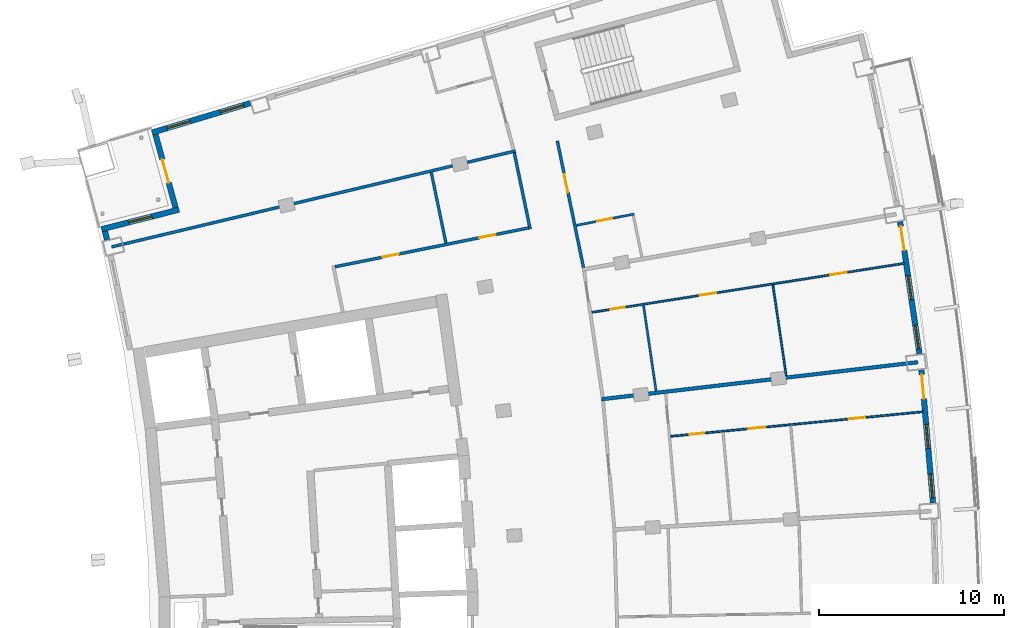
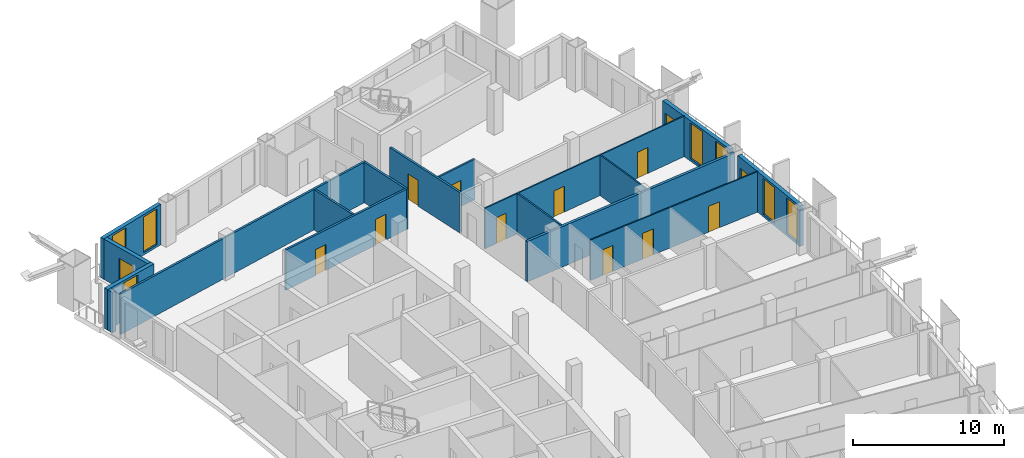
# One storey, part 14 of 21: 17 walls, 13 doors, 7 windows, 20 openings.
"""IFC4 building model written with IfcOpenShell, lengths in metres."""

from ifc_helpers import new_model, si_unit, direction, frame, frame_2d, origin, place, context, subcontext, project, spatial, rectangle, extrude, material, layer, layer_set, type_object, element, fill, save


model = new_model("IFC4")

# Units and contexts
model_context = context("Model", 3, precision=1e-05, world=origin(), true_north=direction((0.0, 1.0)))
body_context = subcontext(model_context, "Body", "Model", "MODEL_VIEW")
ifc_project = project(units=[si_unit("LENGTHUNIT", "METRE"), si_unit("AREAUNIT", "SQUARE_METRE"), si_unit("VOLUMEUNIT", "CUBIC_METRE"), si_unit("PLANEANGLEUNIT", "RADIAN"), si_unit("MASSUNIT", "GRAM", prefix="KILO")], contexts=[model_context])

# Site, building, storey
site_placement = place(None, origin())
site = spatial("IfcSite", under=ifc_project, at=site_placement, CompositionType="ELEMENT")
building_placement = place(site_placement, origin())
building = spatial("IfcBuilding", under=site, at=building_placement, Name="Alderwake Tower", CompositionType="ELEMENT")
storey_placement = place(building_placement, frame((0.0, 0.0, 207.199951171875)))
storey = spatial("IfcBuildingStorey", under=building, at=storey_placement, Name="L51", CompositionType="ELEMENT", Elevation=207.199951171875)

# Walls
ifc_material_1 = material(Name="Gypsum board on metal studs, rated")
ifc_layer_1 = layer(ifc_material_1, 0.159912109375)
ifc_layer_set_1 = layer_set([ifc_layer_1], Name="Corridor wall 160")
wall_type_1 = type_object("IfcWallType", Name="Corridor wall 160", PredefinedType="PARTITIONING", material=ifc_layer_set_1)
wall_1_placement = place(storey_placement, frame((13.884033203125, 83.31298828125, 0.0), z_axis=(0.0, 0.0, 1.0), x_axis=(0.972893462073, 0.231253781493, 0.0)))
element("IfcWall", 1, at=wall_1_placement, inside=storey, type_object=wall_type_1, Name="WL/L51/W09", PredefinedType="PARTITIONING", context=body_context, shape_type="SweptSolid", body=[
    extrude(rectangle(XDim=22.38037109375, YDim=0.159912109375, at=frame_2d((11.190185546875, 0.0))), origin(), (0.0, 0.0, 1.0), 3.280029296875),
])
wall_2_placement = place(storey_placement, frame((35.59619140625, 88.3916015625, 0.0), z_axis=(0.0, 0.0, 1.0), x_axis=(0.20329833965, -0.979116839348, 0.0)))
element("IfcWall", 2, at=wall_2_placement, inside=storey, type_object=wall_type_1, Name="WL/L51/W17", PredefinedType="PARTITIONING", context=body_context, shape_type="SweptSolid", body=[
    extrude(rectangle(XDim=4.206787109375, YDim=0.159912109375, at=frame_2d((2.103515625, 0.0))), origin(), (0.0, 0.0, 1.0), 3.280029296875),
])

# Wall, openings, doors
wall_3_placement = place(storey_placement, frame((25.926513671875, 82.24267578125, 0.0), z_axis=(0.0, 0.0, 1.0), x_axis=(0.98046310274, 0.196703086316, 0.0)))
wall_3 = element("IfcWall", 3, at=wall_3_placement, inside=storey, type_object=wall_type_1, Name="WL/L51/W19", PredefinedType="PARTITIONING", context=body_context, shape_type="SweptSolid", body=[
    extrude(rectangle(XDim=10.637939453125, YDim=0.159912109375, at=frame_2d((5.31884765625, 0.0))), origin(), (0.0, 0.0, 1.0), 3.280029296875),
])
opening_1_placement = place(wall_3_placement, frame((2.609130859375, 0.0, 0.0)))
opening_1 = element("IfcOpeningElement", 4, at=opening_1_placement, cuts=wall_3, Name="Opening R14-SBN1", PredefinedType="OPENING", context=body_context, shape_type="SweptSolid", body=[
    extrude(rectangle(XDim=0.89990234375, YDim=2.10009765625, at=frame_2d((0.449951171875, 1.050048828125))), frame((0.0, 0.08984375, 0.0), z_axis=(0.0, -1.0, 0.0), x_axis=(1.0, 0.0, 0.0)), (0.0, 0.0, 1.0), 0.179931640625),
])
opening_2_placement = place(wall_3_placement, frame((7.927978515625, 0.0, 0.0)))
opening_2 = element("IfcOpeningElement", 5, at=opening_2_placement, cuts=wall_3, Name="Opening R14-SBN2", PredefinedType="OPENING", context=body_context, shape_type="SweptSolid", body=[
    extrude(rectangle(XDim=0.89990234375, YDim=2.10009765625, at=frame_2d((0.449951171875, 1.050048828125))), frame((0.0, 0.08984375, 0.0), z_axis=(0.0, -1.0, 0.0), x_axis=(1.0, 0.0, 0.0)), (0.0, 0.0, 1.0), 0.179931640625),
])
ifc_material_2 = material(Name="Painted timber leaf", Category="wood")
door_type_1 = type_object("IfcDoorType", Name="Room door 900", OperationType="SINGLE_SWING_LEFT", PredefinedType="DOOR", material=ifc_material_2)
door_1_placement = place(opening_1_placement, origin())
door_1 = element("IfcDoor", 6, at=door_1_placement, inside=storey, type_object=door_type_1, Name="DR/L51/SBN1", OperationType="SINGLE_SWING_LEFT", OverallHeight=2.10009765625, OverallWidth=0.89990234375, PredefinedType="DOOR", context=body_context, shape_type="SweptSolid", body=[
    extrude(rectangle(XDim=0.89990234375, YDim=2.10009765625, at=frame_2d((0.449951171875, 1.050048828125))), frame((0.0, 0.02490234375, 0.0), z_axis=(0.0, -1.0, 0.0), x_axis=(1.0, 0.0, 0.0)), (0.0, 0.0, 1.0), 0.050048828125),
])
fill(opening_1, door_1)
door_2_placement = place(opening_2_placement, origin())
door_2 = element("IfcDoor", 7, at=door_2_placement, inside=storey, type_object=door_type_1, Name="DR/L51/SBN2", OperationType="SINGLE_SWING_LEFT", OverallHeight=2.10009765625, OverallWidth=0.89990234375, PredefinedType="DOOR", context=body_context, shape_type="SweptSolid", body=[
    extrude(rectangle(XDim=0.89990234375, YDim=2.10009765625, at=frame_2d((0.449951171875, 1.050048828125))), frame((0.0, 0.02490234375, 0.0), z_axis=(0.0, -1.0, 0.0), x_axis=(1.0, 0.0, 0.0)), (0.0, 0.0, 1.0), 0.050048828125),
])
fill(opening_2, door_2)

# Wall, opening, door
wall_4_placement = place(storey_placement, frame((37.9169921875, 89.02490234375, 0.0), z_axis=(0.0, 0.0, 1.0), x_axis=(0.202416809878, -0.97929946139, 0.0)))
wall_4 = element("IfcWall", 8, at=wall_4_placement, inside=storey, type_object=wall_type_1, Name="WL/L51/W22", PredefinedType="PARTITIONING", context=body_context, shape_type="SweptSolid", body=[
    extrude(rectangle(XDim=6.97021484375, YDim=0.159912109375, at=frame_2d((3.485107421875, 0.0))), origin(), (0.0, 0.0, 1.0), 3.280029296875),
])
opening_3_placement = place(wall_4_placement, frame((1.83349609375, 0.0, 0.0)))
opening_3 = element("IfcOpeningElement", 9, at=opening_3_placement, cuts=wall_4, Name="Opening R14-U08.1", PredefinedType="OPENING", context=body_context, shape_type="SweptSolid", body=[
    extrude(rectangle(XDim=1.0, YDim=2.10009765625, at=frame_2d((0.5, 1.050048828125))), frame((0.0, 0.08984375, 0.0), z_axis=(0.0, -1.0, 0.0), x_axis=(1.0, 0.0, 0.0)), (0.0, 0.0, 1.0), 0.179931640625),
])
ifc_material_3 = material(Name="Solid timber leaf in steel frame", Category="steel")
door_type_2 = type_object("IfcDoorType", Name="Flat entrance door 1000 fire-rated", OperationType="SINGLE_SWING_LEFT", PredefinedType="DOOR", material=ifc_material_3)
door_3_placement = place(opening_3_placement, origin())
door_3 = element("IfcDoor", 10, at=door_3_placement, inside=storey, type_object=door_type_2, Name="DR/L51/U08.1", OperationType="SINGLE_SWING_LEFT", OverallHeight=2.10009765625, OverallWidth=1.0, PredefinedType="DOOR", context=body_context, shape_type="SweptSolid", body=[
    extrude(rectangle(XDim=1.0, YDim=2.10009765625, at=frame_2d((0.5, 1.050048828125))), frame((0.0, 0.02490234375, 0.0), z_axis=(0.0, -1.0, 0.0), x_axis=(1.0, 0.0, 0.0)), (0.0, 0.0, 1.0), 0.050048828125),
])
fill(opening_3, door_3)

# Wall, openings, door, windows
ifc_material_4 = material(Name="Precast concrete C50/60 spandrel panel", Category="concrete")
ifc_layer_2 = layer(ifc_material_4, 0.300048828125)
ifc_layer_set_2 = layer_set([ifc_layer_2], Name="External wall EW1 Precast concrete C50/60 spandrel")
wall_type_2 = type_object("IfcWallType", Name="External wall EW1 Precast concrete C50/60 spandrel", PredefinedType="SOLIDWALL", material=ifc_layer_set_2)
wall_5_placement = place(storey_placement, frame((58.17529296875, 69.517333984375, 0.0), z_axis=(0.0, 0.0, 1.0), x_axis=(-0.087383747715, 0.996174723949, 0.0)))
wall_5 = element("IfcWall", 11, at=wall_5_placement, inside=storey, type_object=wall_type_2, Name="External wall 17", PredefinedType="SOLIDWALL", context=body_context, shape_type="SweptSolid", body=[
    extrude(rectangle(XDim=7.180419921875, YDim=0.300048828125, at=frame_2d((3.59033203125, 0.0))), origin(), (0.0, 0.0, 1.0), 3.280029296875),
])
opening_4_placement = place(wall_5_placement, frame((0.25341796875, 0.0, 0.199951171875)))
opening_4 = element("IfcOpeningElement", 12, at=opening_4_placement, cuts=wall_5, Name="Opening W1", PredefinedType="OPENING", context=body_context, shape_type="SweptSolid", body=[
    extrude(rectangle(XDim=1.300048828125, YDim=2.89990234375, at=frame_2d((0.64990234375, 1.449951171875))), frame((0.0, 0.159912109375, 0.0), z_axis=(0.0, -1.0, 0.0), x_axis=(1.0, 0.0, 0.0)), (0.0, 0.0, 1.0), 0.320068359375),
])
opening_5_placement = place(wall_5_placement, frame((2.940185546875, 0.0, 0.199951171875)))
opening_5 = element("IfcOpeningElement", 13, at=opening_5_placement, cuts=wall_5, Name="Opening W1", PredefinedType="OPENING", context=body_context, shape_type="SweptSolid", body=[
    extrude(rectangle(XDim=1.300048828125, YDim=2.89990234375, at=frame_2d((0.64990234375, 1.449951171875))), frame((0.0, 0.159912109375, 0.0), z_axis=(0.0, -1.0, 0.0), x_axis=(1.0, 0.0, 0.0)), (0.0, 0.0, 1.0), 0.320068359375),
])
opening_6_placement = place(wall_5_placement, frame((5.626953125, 0.0, 0.0)))
opening_6 = element("IfcOpeningElement", 14, at=opening_6_placement, cuts=wall_5, Name="Opening D07", PredefinedType="OPENING", context=body_context, shape_type="SweptSolid", body=[
    extrude(rectangle(XDim=1.300048828125, YDim=2.39990234375, at=frame_2d((0.64990234375, 1.199951171875))), frame((0.0, 0.159912109375, 0.0), z_axis=(0.0, -1.0, 0.0), x_axis=(1.0, 0.0, 0.0)), (0.0, 0.0, 1.0), 0.320068359375),
])
ifc_material_5 = material(Name="Bronze tinted glass in aluminium frame", Category="aluminium")
door_type_3 = type_object("IfcDoorType", Name="Balcony door BD sliding", OperationType="SLIDING_TO_LEFT", PredefinedType="DOOR", material=ifc_material_5)
door_4_placement = place(opening_6_placement, origin())
door_4 = element("IfcDoor", 15, at=door_4_placement, inside=storey, type_object=door_type_3, Name="Door D07", OperationType="SLIDING_TO_LEFT", OverallHeight=2.39990234375, OverallWidth=1.300048828125, PredefinedType="DOOR", context=body_context, shape_type="SweptSolid", body=[
    extrude(rectangle(XDim=1.300048828125, YDim=2.39990234375, at=frame_2d((0.64990234375, 1.199951171875))), frame((0.0, 0.02490234375, 0.0), z_axis=(0.0, -1.0, 0.0), x_axis=(1.0, 0.0, 0.0)), (0.0, 0.0, 1.0), 0.050048828125),
])
fill(opening_6, door_4)
ifc_material_6 = material(Name="Bronze tinted glass in aluminium frame", Category="aluminium")
window_type = type_object("IfcWindowType", Name="Window W1 tall fixed and vent", PartitioningType="DOUBLE_PANEL_VERTICAL", PredefinedType="WINDOW", material=ifc_material_6)
window_1_placement = place(opening_4_placement, origin())
window_1 = element("IfcWindow", 16, at=window_1_placement, inside=storey, type_object=window_type, Name="Window W1 tall fixed and vent", OverallHeight=2.89990234375, OverallWidth=1.300048828125, PartitioningType="DOUBLE_PANEL_VERTICAL", PredefinedType="WINDOW", context=body_context, shape_type="SweptSolid", body=[
    extrude(rectangle(XDim=1.300048828125, YDim=2.89990234375, at=frame_2d((0.64990234375, 1.449951171875))), frame((0.0, 0.030029296875, 0.0), z_axis=(0.0, -1.0, 0.0), x_axis=(1.0, 0.0, 0.0)), (0.0, 0.0, 1.0), 0.06005859375),
])
fill(opening_4, window_1)
window_2_placement = place(opening_5_placement, origin())
window_2 = element("IfcWindow", 17, at=window_2_placement, inside=storey, type_object=window_type, Name="Window W1 tall fixed and vent", OverallHeight=2.89990234375, OverallWidth=1.300048828125, PartitioningType="DOUBLE_PANEL_VERTICAL", PredefinedType="WINDOW", context=body_context, shape_type="SweptSolid", body=[
    extrude(rectangle(XDim=1.300048828125, YDim=2.89990234375, at=frame_2d((0.64990234375, 1.449951171875))), frame((0.0, 0.030029296875, 0.0), z_axis=(0.0, -1.0, 0.0), x_axis=(1.0, 0.0, 0.0)), (0.0, 0.0, 1.0), 0.06005859375),
])
fill(opening_5, window_2)

wall_6_placement = place(storey_placement, frame((57.44384765625, 77.55859375, 0.0), z_axis=(0.0, 0.0, 1.0), x_axis=(-0.145323662677, 0.989384168595, 0.0)))
wall_6 = element("IfcWall", 18, at=wall_6_placement, inside=storey, type_object=wall_type_2, Name="External wall 18", PredefinedType="SOLIDWALL", context=body_context, shape_type="SweptSolid", body=[
    extrude(rectangle(XDim=7.18017578125, YDim=0.300048828125, at=frame_2d((3.590087890625, 0.0))), origin(), (0.0, 0.0, 1.0), 3.280029296875),
])
opening_7_placement = place(wall_6_placement, frame((0.25341796875, 0.0, 0.199951171875)))
opening_7 = element("IfcOpeningElement", 19, at=opening_7_placement, cuts=wall_6, Name="Opening W1", PredefinedType="OPENING", context=body_context, shape_type="SweptSolid", body=[
    extrude(rectangle(XDim=1.300048828125, YDim=2.89990234375, at=frame_2d((0.64990234375, 1.449951171875))), frame((0.0, 0.159912109375, 0.0), z_axis=(0.0, -1.0, 0.0), x_axis=(1.0, 0.0, 0.0)), (0.0, 0.0, 1.0), 0.320068359375),
])
opening_8_placement = place(wall_6_placement, frame((2.940185546875, 0.0, 0.199951171875)))
opening_8 = element("IfcOpeningElement", 20, at=opening_8_placement, cuts=wall_6, Name="Opening W1", PredefinedType="OPENING", context=body_context, shape_type="SweptSolid", body=[
    extrude(rectangle(XDim=1.300048828125, YDim=2.89990234375, at=frame_2d((0.64990234375, 1.449951171875))), frame((0.0, 0.159912109375, 0.0), z_axis=(0.0, -1.0, 0.0), x_axis=(1.0, 0.0, 0.0)), (0.0, 0.0, 1.0), 0.320068359375),
])
opening_9_placement = place(wall_6_placement, frame((5.626953125, 0.0, 0.0)))
opening_9 = element("IfcOpeningElement", 21, at=opening_9_placement, cuts=wall_6, Name="Opening D08", PredefinedType="OPENING", context=body_context, shape_type="SweptSolid", body=[
    extrude(rectangle(XDim=1.300048828125, YDim=2.39990234375, at=frame_2d((0.64990234375, 1.199951171875))), frame((0.0, 0.159912109375, 0.0), z_axis=(0.0, -1.0, 0.0), x_axis=(1.0, 0.0, 0.0)), (0.0, 0.0, 1.0), 0.320068359375),
])
door_5_placement = place(opening_9_placement, origin())
door_5 = element("IfcDoor", 22, at=door_5_placement, inside=storey, type_object=door_type_3, Name="Door D08", OperationType="SLIDING_TO_LEFT", OverallHeight=2.39990234375, OverallWidth=1.300048828125, PredefinedType="DOOR", context=body_context, shape_type="SweptSolid", body=[
    extrude(rectangle(XDim=1.300048828125, YDim=2.39990234375, at=frame_2d((0.64990234375, 1.199951171875))), frame((0.0, 0.02490234375, 0.0), z_axis=(0.0, -1.0, 0.0), x_axis=(1.0, 0.0, 0.0)), (0.0, 0.0, 1.0), 0.050048828125),
])
fill(opening_9, door_5)
window_3_placement = place(opening_7_placement, origin())
window_3 = element("IfcWindow", 23, at=window_3_placement, inside=storey, type_object=window_type, Name="Window W1 tall fixed and vent", OverallHeight=2.89990234375, OverallWidth=1.300048828125, PartitioningType="DOUBLE_PANEL_VERTICAL", PredefinedType="WINDOW", context=body_context, shape_type="SweptSolid", body=[
    extrude(rectangle(XDim=1.300048828125, YDim=2.89990234375, at=frame_2d((0.64990234375, 1.449951171875))), frame((0.0, 0.030029296875, 0.0), z_axis=(0.0, -1.0, 0.0), x_axis=(1.0, 0.0, 0.0)), (0.0, 0.0, 1.0), 0.06005859375),
])
fill(opening_7, window_3)
window_4_placement = place(opening_8_placement, origin())
window_4 = element("IfcWindow", 24, at=window_4_placement, inside=storey, type_object=window_type, Name="Window W1 tall fixed and vent", OverallHeight=2.89990234375, OverallWidth=1.300048828125, PartitioningType="DOUBLE_PANEL_VERTICAL", PredefinedType="WINDOW", context=body_context, shape_type="SweptSolid", body=[
    extrude(rectangle(XDim=1.300048828125, YDim=2.89990234375, at=frame_2d((0.64990234375, 1.449951171875))), frame((0.0, 0.030029296875, 0.0), z_axis=(0.0, -1.0, 0.0), x_axis=(1.0, 0.0, 0.0)), (0.0, 0.0, 1.0), 0.06005859375),
])
fill(opening_8, window_4)

# Wall
wall_7_placement = place(storey_placement, frame((13.523193359375, 84.1572265625, 0.0), z_axis=(0.0, 0.0, 1.0), x_axis=(0.238448700846, -0.971155094238, 0.0)))
element("IfcWall", 25, at=wall_7_placement, inside=storey, type_object=wall_type_2, Name="External wall 30", PredefinedType="SOLIDWALL", context=body_context, shape_type="SweptSolid", body=[
    extrude(rectangle(XDim=0.47802734375, YDim=0.300048828125, at=frame_2d((0.239013671875, 0.0))), origin(), (0.0, 0.0, 1.0), 3.280029296875),
])

# Wall, openings, windows
ifc_material_7 = material(Name="Bronze metal cladding on lightweight framing")
ifc_layer_3 = layer(ifc_material_7, 0.300048828125)
ifc_layer_set_3 = layer_set([ifc_layer_3], Name="External wall EW2 bronze metal cladding")
wall_type_3 = type_object("IfcWallType", Name="External wall EW2 bronze metal cladding", PredefinedType="SOLIDWALL", material=ifc_layer_set_3)
wall_8_placement = place(storey_placement, frame((21.356689453125, 91.064697265625, 0.0), z_axis=(0.0, 0.0, 1.0), x_axis=(-0.957772749247, -0.287526278451, 0.0)))
wall_8 = element("IfcWall", 26, at=wall_8_placement, inside=storey, type_object=wall_type_3, Name="External wall 27", PredefinedType="SOLIDWALL", context=body_context, shape_type="SweptSolid", body=[
    extrude(rectangle(XDim=5.524169921875, YDim=0.300048828125, at=frame_2d((2.76220703125, 0.0))), origin(), (0.0, 0.0, 1.0), 3.280029296875),
])
opening_10_placement = place(wall_8_placement, frame((0.373291015625, 0.0, 0.199951171875)))
opening_10 = element("IfcOpeningElement", 27, at=opening_10_placement, cuts=wall_8, Name="Opening W1", PredefinedType="OPENING", context=body_context, shape_type="SweptSolid", body=[
    extrude(rectangle(XDim=1.300048828125, YDim=2.89990234375, at=frame_2d((0.64990234375, 1.449951171875))), frame((0.0, 0.159912109375, 0.0), z_axis=(0.0, -1.0, 0.0), x_axis=(1.0, 0.0, 0.0)), (0.0, 0.0, 1.0), 0.320068359375),
])
opening_11_placement = place(wall_8_placement, frame((3.3740234375, 0.0, 0.199951171875)))
opening_11 = element("IfcOpeningElement", 28, at=opening_11_placement, cuts=wall_8, Name="Opening W1", PredefinedType="OPENING", context=body_context, shape_type="SweptSolid", body=[
    extrude(rectangle(XDim=1.300048828125, YDim=2.89990234375, at=frame_2d((0.64990234375, 1.449951171875))), frame((0.0, 0.159912109375, 0.0), z_axis=(0.0, -1.0, 0.0), x_axis=(1.0, 0.0, 0.0)), (0.0, 0.0, 1.0), 0.320068359375),
])
window_5_placement = place(opening_10_placement, origin())
window_5 = element("IfcWindow", 29, at=window_5_placement, inside=storey, type_object=window_type, Name="Window W1 tall fixed and vent", OverallHeight=2.89990234375, OverallWidth=1.300048828125, PartitioningType="DOUBLE_PANEL_VERTICAL", PredefinedType="WINDOW", context=body_context, shape_type="SweptSolid", body=[
    extrude(rectangle(XDim=1.300048828125, YDim=2.89990234375, at=frame_2d((0.64990234375, 1.449951171875))), frame((0.0, 0.030029296875, 0.0), z_axis=(0.0, -1.0, 0.0), x_axis=(1.0, 0.0, 0.0)), (0.0, 0.0, 1.0), 0.06005859375),
])
fill(opening_10, window_5)
window_6_placement = place(opening_11_placement, origin())
window_6 = element("IfcWindow", 30, at=window_6_placement, inside=storey, type_object=window_type, Name="Window W1 tall fixed and vent", OverallHeight=2.89990234375, OverallWidth=1.300048828125, PartitioningType="DOUBLE_PANEL_VERTICAL", PredefinedType="WINDOW", context=body_context, shape_type="SweptSolid", body=[
    extrude(rectangle(XDim=1.300048828125, YDim=2.89990234375, at=frame_2d((0.64990234375, 1.449951171875))), frame((0.0, 0.030029296875, 0.0), z_axis=(0.0, -1.0, 0.0), x_axis=(1.0, 0.0, 0.0)), (0.0, 0.0, 1.0), 0.06005859375),
])
fill(opening_11, window_6)

# Wall, opening, door
wall_9_placement = place(storey_placement, frame((16.248779296875, 89.374755859375, 0.0), z_axis=(0.0, 0.0, 1.0), x_axis=(0.264607053468, -0.964356317579, 0.0)))
wall_9 = element("IfcWall", 31, at=wall_9_placement, inside=storey, type_object=wall_type_3, Name="External wall 28", PredefinedType="SOLIDWALL", context=body_context, shape_type="SweptSolid", body=[
    extrude(rectangle(XDim=4.090087890625, YDim=0.300048828125, at=frame_2d((2.044921875, 0.0))), origin(), (0.0, 0.0, 1.0), 3.280029296875),
])
opening_12_placement = place(wall_9_placement, frame((1.39501953125, 0.0, 0.0)))
opening_12 = element("IfcOpeningElement", 32, at=opening_12_placement, cuts=wall_9, Name="Opening D10", PredefinedType="OPENING", context=body_context, shape_type="SweptSolid", body=[
    extrude(rectangle(XDim=1.300048828125, YDim=2.39990234375, at=frame_2d((0.64990234375, 1.199951171875))), frame((0.0, 0.159912109375, 0.0), z_axis=(0.0, -1.0, 0.0), x_axis=(1.0, 0.0, 0.0)), (0.0, 0.0, 1.0), 0.320068359375),
])
door_6_placement = place(opening_12_placement, origin())
door_6 = element("IfcDoor", 33, at=door_6_placement, inside=storey, type_object=door_type_3, Name="Door D10", OperationType="SLIDING_TO_LEFT", OverallHeight=2.39990234375, OverallWidth=1.300048828125, PredefinedType="DOOR", context=body_context, shape_type="SweptSolid", body=[
    extrude(rectangle(XDim=1.300048828125, YDim=2.39990234375, at=frame_2d((0.64990234375, 1.199951171875))), frame((0.0, 0.02490234375, 0.0), z_axis=(0.0, -1.0, 0.0), x_axis=(1.0, 0.0, 0.0)), (0.0, 0.0, 1.0), 0.050048828125),
])
fill(opening_12, door_6)

# Wall, opening, window
wall_10_placement = place(storey_placement, frame((17.51611328125, 85.32275390625, 0.0), z_axis=(0.0, 0.0, 1.0), x_axis=(-0.969417740682, -0.245416470617, 0.0)))
wall_10 = element("IfcWall", 34, at=wall_10_placement, inside=storey, type_object=wall_type_3, Name="External wall 29", PredefinedType="SOLIDWALL", context=body_context, shape_type="SweptSolid", body=[
    extrude(rectangle(XDim=4.305419921875, YDim=0.300048828125, at=frame_2d((2.15283203125, 0.0))), origin(), (0.0, 0.0, 1.0), 3.280029296875),
])
opening_13_placement = place(wall_10_placement, frame((1.502685546875, 0.0, 0.199951171875)))
opening_13 = element("IfcOpeningElement", 35, at=opening_13_placement, cuts=wall_10, Name="Opening W1", PredefinedType="OPENING", context=body_context, shape_type="SweptSolid", body=[
    extrude(rectangle(XDim=1.300048828125, YDim=2.89990234375, at=frame_2d((0.64990234375, 1.449951171875))), frame((0.0, 0.159912109375, 0.0), z_axis=(0.0, -1.0, 0.0), x_axis=(1.0, 0.0, 0.0)), (0.0, 0.0, 1.0), 0.320068359375),
])
window_7_placement = place(opening_13_placement, origin())
window_7 = element("IfcWindow", 36, at=window_7_placement, inside=storey, type_object=window_type, Name="Window W1 tall fixed and vent", OverallHeight=2.89990234375, OverallWidth=1.300048828125, PartitioningType="DOUBLE_PANEL_VERTICAL", PredefinedType="WINDOW", context=body_context, shape_type="SweptSolid", body=[
    extrude(rectangle(XDim=1.300048828125, YDim=2.89990234375, at=frame_2d((0.64990234375, 1.449951171875))), frame((0.0, 0.030029296875, 0.0), z_axis=(0.0, -1.0, 0.0), x_axis=(1.0, 0.0, 0.0)), (0.0, 0.0, 1.0), 0.06005859375),
])
fill(opening_13, window_7)

# Walls
ifc_material_8 = material(Name="Dense block masonry wall", Category="masonry")
ifc_layer_4 = layer(ifc_material_8, 0.199951171875)
ifc_layer_set_4 = layer_set([ifc_layer_4], Name="Party wall 200")
wall_type_4 = type_object("IfcWallType", Name="Party wall 200", PredefinedType="SOLIDWALL", material=ifc_layer_set_4)
wall_11_placement = place(storey_placement, frame((57.360107421875, 77.096923828125, 0.0), z_axis=(0.0, 0.0, 1.0), x_axis=(-0.993211679242, -0.116320936278, 0.0)))
element("IfcWall", 37, at=wall_11_placement, inside=storey, type_object=wall_type_4, Name="WL/L51/W03", PredefinedType="SOLIDWALL", context=body_context, shape_type="SweptSolid", body=[
    extrude(rectangle(XDim=17.17919921875, YDim=0.199951171875, at=frame_2d((8.589599609375, 0.0))), origin(), (0.0, 0.0, 1.0), 3.280029296875),
])
ifc_material_9 = material(Name="Gypsum shaft wall system, rated")
ifc_layer_5 = layer(ifc_material_9, 0.14990234375)
ifc_layer_set_5 = layer_set([ifc_layer_5], Name="Riser and shaft wall 150")
wall_type_5 = type_object("IfcWallType", Name="Riser and shaft wall 150", PredefinedType="PARTITIONING", material=ifc_layer_set_5)
wall_12_placement = place(storey_placement, frame((31.90966796875, 83.523193359375, 0.0), z_axis=(0.0, 0.0, 1.0), x_axis=(-0.203193719272, 0.979138556308, 0.0)))
element("IfcWall", 38, at=wall_12_placement, inside=storey, type_object=wall_type_5, Name="WL/L51/W06", PredefinedType="PARTITIONING", context=body_context, shape_type="SweptSolid", body=[
    extrude(rectangle(XDim=3.884521484375, YDim=0.14990234375, at=frame_2d((1.9423828125, 0.0))), origin(), (0.0, 0.0, 1.0), 3.280029296875),
])

# Wall, openings, doors
ifc_material_10 = material(Name="Gypsum board on metal studs")
ifc_layer_6 = layer(ifc_material_10, 0.10009765625)
ifc_layer_set_6 = layer_set([ifc_layer_6], Name="Unit partition 100")
wall_type_6 = type_object("IfcWallType", Name="Unit partition 100", PredefinedType="PARTITIONING", material=ifc_layer_set_6)
wall_13_placement = place(storey_placement, frame((56.6279296875, 82.427978515625, 0.0), z_axis=(0.0, 0.0, 1.0), x_axis=(-0.987910763847, -0.155023619733, 0.0)))
wall_13 = element("IfcWall", 39, at=wall_13_placement, inside=storey, type_object=wall_type_6, Name="WL/L51/W44", PredefinedType="PARTITIONING", context=body_context, shape_type="SweptSolid", body=[
    extrude(rectangle(XDim=17.065185546875, YDim=0.10009765625, at=frame_2d((8.53271484375, 0.0))), origin(), (0.0, 0.0, 1.0), 3.280029296875),
])
opening_14_placement = place(wall_13_placement, frame((10.263671875, 0.0, 0.0)))
opening_14 = element("IfcOpeningElement", 40, at=opening_14_placement, cuts=wall_13, Name="Opening R14-U07.1", PredefinedType="OPENING", context=body_context, shape_type="SweptSolid", body=[
    extrude(rectangle(XDim=0.89990234375, YDim=2.10009765625, at=frame_2d((0.449951171875, 1.050048828125))), frame((0.0, 0.06005859375, 0.0), z_axis=(0.0, -1.0, 0.0), x_axis=(1.0, 0.0, 0.0)), (0.0, 0.0, 1.0), 0.1201171875),
])
opening_15_placement = place(wall_13_placement, frame((15.255126953125, 0.0, 0.0)))
opening_15 = element("IfcOpeningElement", 41, at=opening_15_placement, cuts=wall_13, Name="Opening R14-U07.3", PredefinedType="OPENING", context=body_context, shape_type="SweptSolid", body=[
    extrude(rectangle(XDim=0.800048828125, YDim=2.10009765625, at=frame_2d((0.39990234375, 1.050048828125))), frame((0.0, 0.06005859375, 0.0), z_axis=(0.0, -1.0, 0.0), x_axis=(1.0, 0.0, 0.0)), (0.0, 0.0, 1.0), 0.1201171875),
])
opening_16_placement = place(wall_13_placement, frame((3.141845703125, 0.0, 0.0)))
opening_16 = element("IfcOpeningElement", 42, at=opening_16_placement, cuts=wall_13, Name="Opening R14-U07.4", PredefinedType="OPENING", context=body_context, shape_type="SweptSolid", body=[
    extrude(rectangle(XDim=0.89990234375, YDim=2.10009765625, at=frame_2d((0.449951171875, 1.050048828125))), frame((0.0, 0.06005859375, 0.0), z_axis=(0.0, -1.0, 0.0), x_axis=(1.0, 0.0, 0.0)), (0.0, 0.0, 1.0), 0.1201171875),
])
ifc_material_11 = material(Name="Painted timber leaf", Category="wood")
door_type_4 = type_object("IfcDoorType", Name="Bathroom door 800", OperationType="SINGLE_SWING_LEFT", PredefinedType="DOOR", material=ifc_material_11)
door_7_placement = place(opening_15_placement, origin())
door_7 = element("IfcDoor", 43, at=door_7_placement, inside=storey, type_object=door_type_4, Name="DR/L51/U07.3", OperationType="SINGLE_SWING_LEFT", OverallHeight=2.10009765625, OverallWidth=0.800048828125, PredefinedType="DOOR", context=body_context, shape_type="SweptSolid", body=[
    extrude(rectangle(XDim=0.800048828125, YDim=2.10009765625, at=frame_2d((0.39990234375, 1.050048828125))), frame((0.0, 0.02490234375, 0.0), z_axis=(0.0, -1.0, 0.0), x_axis=(1.0, 0.0, 0.0)), (0.0, 0.0, 1.0), 0.050048828125),
])
fill(opening_15, door_7)
door_8_placement = place(opening_14_placement, origin())
door_8 = element("IfcDoor", 44, at=door_8_placement, inside=storey, type_object=door_type_1, Name="DR/L51/U07.1", OperationType="SINGLE_SWING_LEFT", OverallHeight=2.10009765625, OverallWidth=0.89990234375, PredefinedType="DOOR", context=body_context, shape_type="SweptSolid", body=[
    extrude(rectangle(XDim=0.89990234375, YDim=2.10009765625, at=frame_2d((0.449951171875, 1.050048828125))), frame((0.0, 0.02490234375, 0.0), z_axis=(0.0, -1.0, 0.0), x_axis=(1.0, 0.0, 0.0)), (0.0, 0.0, 1.0), 0.050048828125),
])
fill(opening_14, door_8)
door_9_placement = place(opening_16_placement, origin())
door_9 = element("IfcDoor", 45, at=door_9_placement, inside=storey, type_object=door_type_1, Name="DR/L51/U07.4", OperationType="SINGLE_SWING_LEFT", OverallHeight=2.10009765625, OverallWidth=0.89990234375, PredefinedType="DOOR", context=body_context, shape_type="SweptSolid", body=[
    extrude(rectangle(XDim=0.89990234375, YDim=2.10009765625, at=frame_2d((0.449951171875, 1.050048828125))), frame((0.0, 0.02490234375, 0.0), z_axis=(0.0, -1.0, 0.0), x_axis=(1.0, 0.0, 0.0)), (0.0, 0.0, 1.0), 0.050048828125),
])
fill(opening_16, door_9)

wall_14_placement = place(storey_placement, frame((57.64501953125, 74.424072265625, 0.0), z_axis=(0.0, 0.0, 1.0), x_axis=(-0.995293286356, -0.096908586486, 0.0)))
wall_14 = element("IfcWall", 46, at=wall_14_placement, inside=storey, type_object=wall_type_6, Name="WL/L51/W50", PredefinedType="PARTITIONING", context=body_context, shape_type="SweptSolid", body=[
    extrude(rectangle(XDim=13.684814453125, YDim=0.10009765625, at=frame_2d((6.84228515625, 0.0))), origin(), (0.0, 0.0, 1.0), 3.280029296875),
])
opening_17_placement = place(wall_14_placement, frame((8.564208984375, 0.0, 0.0)))
opening_17 = element("IfcOpeningElement", 47, at=opening_17_placement, cuts=wall_14, Name="Opening R14-U06.1", PredefinedType="OPENING", context=body_context, shape_type="SweptSolid", body=[
    extrude(rectangle(XDim=0.89990234375, YDim=2.10009765625, at=frame_2d((0.449951171875, 1.050048828125))), frame((0.0, 0.06005859375, 0.0), z_axis=(0.0, -1.0, 0.0), x_axis=(1.0, 0.0, 0.0)), (0.0, 0.0, 1.0), 0.1201171875),
])
opening_18_placement = place(wall_14_placement, frame((11.865478515625, 0.0, 0.0)))
opening_18 = element("IfcOpeningElement", 48, at=opening_18_placement, cuts=wall_14, Name="Opening R14-U06.4", PredefinedType="OPENING", context=body_context, shape_type="SweptSolid", body=[
    extrude(rectangle(XDim=0.800048828125, YDim=2.10009765625, at=frame_2d((0.39990234375, 1.050048828125))), frame((0.0, 0.06005859375, 0.0), z_axis=(0.0, -1.0, 0.0), x_axis=(1.0, 0.0, 0.0)), (0.0, 0.0, 1.0), 0.1201171875),
])
opening_19_placement = place(wall_14_placement, frame((3.141845703125, 0.0, 0.0)))
opening_19 = element("IfcOpeningElement", 49, at=opening_19_placement, cuts=wall_14, Name="Opening R14-U06.5", PredefinedType="OPENING", context=body_context, shape_type="SweptSolid", body=[
    extrude(rectangle(XDim=0.89990234375, YDim=2.10009765625, at=frame_2d((0.449951171875, 1.050048828125))), frame((0.0, 0.06005859375, 0.0), z_axis=(0.0, -1.0, 0.0), x_axis=(1.0, 0.0, 0.0)), (0.0, 0.0, 1.0), 0.1201171875),
])
door_10_placement = place(opening_18_placement, origin())
door_10 = element("IfcDoor", 50, at=door_10_placement, inside=storey, type_object=door_type_4, Name="DR/L51/U06.4", OperationType="SINGLE_SWING_LEFT", OverallHeight=2.10009765625, OverallWidth=0.800048828125, PredefinedType="DOOR", context=body_context, shape_type="SweptSolid", body=[
    extrude(rectangle(XDim=0.800048828125, YDim=2.10009765625, at=frame_2d((0.39990234375, 1.050048828125))), frame((0.0, 0.02490234375, 0.0), z_axis=(0.0, -1.0, 0.0), x_axis=(1.0, 0.0, 0.0)), (0.0, 0.0, 1.0), 0.050048828125),
])
fill(opening_18, door_10)
door_11_placement = place(opening_17_placement, origin())
door_11 = element("IfcDoor", 51, at=door_11_placement, inside=storey, type_object=door_type_1, Name="DR/L51/U06.1", OperationType="SINGLE_SWING_LEFT", OverallHeight=2.10009765625, OverallWidth=0.89990234375, PredefinedType="DOOR", context=body_context, shape_type="SweptSolid", body=[
    extrude(rectangle(XDim=0.89990234375, YDim=2.10009765625, at=frame_2d((0.449951171875, 1.050048828125))), frame((0.0, 0.02490234375, 0.0), z_axis=(0.0, -1.0, 0.0), x_axis=(1.0, 0.0, 0.0)), (0.0, 0.0, 1.0), 0.050048828125),
])
fill(opening_17, door_11)
door_12_placement = place(opening_19_placement, origin())
door_12 = element("IfcDoor", 52, at=door_12_placement, inside=storey, type_object=door_type_1, Name="DR/L51/U06.5", OperationType="SINGLE_SWING_LEFT", OverallHeight=2.10009765625, OverallWidth=0.89990234375, PredefinedType="DOOR", context=body_context, shape_type="SweptSolid", body=[
    extrude(rectangle(XDim=0.89990234375, YDim=2.10009765625, at=frame_2d((0.449951171875, 1.050048828125))), frame((0.0, 0.02490234375, 0.0), z_axis=(0.0, -1.0, 0.0), x_axis=(1.0, 0.0, 0.0)), (0.0, 0.0, 1.0), 0.050048828125),
])
fill(opening_19, door_12)

# Wall
wall_15_placement = place(storey_placement, frame((50.259521484375, 76.367919921875, 0.0), z_axis=(0.0, 0.0, 1.0), x_axis=(-0.145300878319, 0.989387514961, 0.0)))
element("IfcWall", 53, at=wall_15_placement, inside=storey, type_object=wall_type_6, Name="WL/L51/W53", PredefinedType="PARTITIONING", context=body_context, shape_type="SweptSolid", body=[
    extrude(rectangle(XDim=4.949951171875, YDim=0.10009765625, at=frame_2d((2.47509765625, 0.0))), origin(), (0.0, 0.0, 1.0), 3.280029296875),
])

# Wall, opening, door
ifc_material_12 = material(Name="Moisture resistant gypsum board on metal studs")
ifc_layer_7 = layer(ifc_material_12, 0.1201171875)
ifc_layer_set_7 = layer_set([ifc_layer_7], Name="Wet room partition 120")
wall_type_7 = type_object("IfcWallType", Name="Wet room partition 120", PredefinedType="PARTITIONING", material=ifc_layer_set_7)
wall_16_placement = place(storey_placement, frame((42.058837890625, 85.085693359375, 0.0), z_axis=(0.0, 0.0, 1.0), x_axis=(-0.981146728245, -0.193264320697, 0.0)))
wall_16 = element("IfcWall", 54, at=wall_16_placement, inside=storey, type_object=wall_type_7, Name="WL/L51/W33", PredefinedType="PARTITIONING", context=body_context, shape_type="SweptSolid", body=[
    extrude(rectangle(XDim=3.17822265625, YDim=0.1201171875, at=frame_2d((1.589111328125, 0.0))), origin(), (0.0, 0.0, 1.0), 3.280029296875),
])
opening_20_placement = place(wall_16_placement, frame((1.21923828125, 0.0, 0.0)))
opening_20 = element("IfcOpeningElement", 55, at=opening_20_placement, cuts=wall_16, Name="Opening R14-U08.2", PredefinedType="OPENING", context=body_context, shape_type="SweptSolid", body=[
    extrude(rectangle(XDim=0.800048828125, YDim=2.10009765625, at=frame_2d((0.39990234375, 1.050048828125))), frame((0.0, 0.070068359375, 0.0), z_axis=(0.0, -1.0, 0.0), x_axis=(1.0, 0.0, 0.0)), (0.0, 0.0, 1.0), 0.14013671875),
])
door_13_placement = place(opening_20_placement, origin())
door_13 = element("IfcDoor", 56, at=door_13_placement, inside=storey, type_object=door_type_4, Name="DR/L51/U08.2", OperationType="SINGLE_SWING_LEFT", OverallHeight=2.10009765625, OverallWidth=0.800048828125, PredefinedType="DOOR", context=body_context, shape_type="SweptSolid", body=[
    extrude(rectangle(XDim=0.800048828125, YDim=2.10009765625, at=frame_2d((0.39990234375, 1.050048828125))), frame((0.0, 0.02490234375, 0.0), z_axis=(0.0, -1.0, 0.0), x_axis=(1.0, 0.0, 0.0)), (0.0, 0.0, 1.0), 0.050048828125),
])
fill(opening_20, door_13)

# Wall
wall_17_placement = place(storey_placement, frame((43.242431640625, 75.5458984375, 0.0), z_axis=(0.0, 0.0, 1.0), x_axis=(-0.145515042, 0.989356039326, 0.0)))
element("IfcWall", 57, at=wall_17_placement, inside=storey, type_object=wall_type_7, Name="WL/L51/W36", PredefinedType="PARTITIONING", context=body_context, shape_type="SweptSolid", body=[
    extrude(rectangle(XDim=4.67431640625, YDim=0.1201171875, at=frame_2d((2.337158203125, 0.0))), origin(), (0.0, 0.0, 1.0), 3.280029296875),
])

save(model, "model.ifc")
